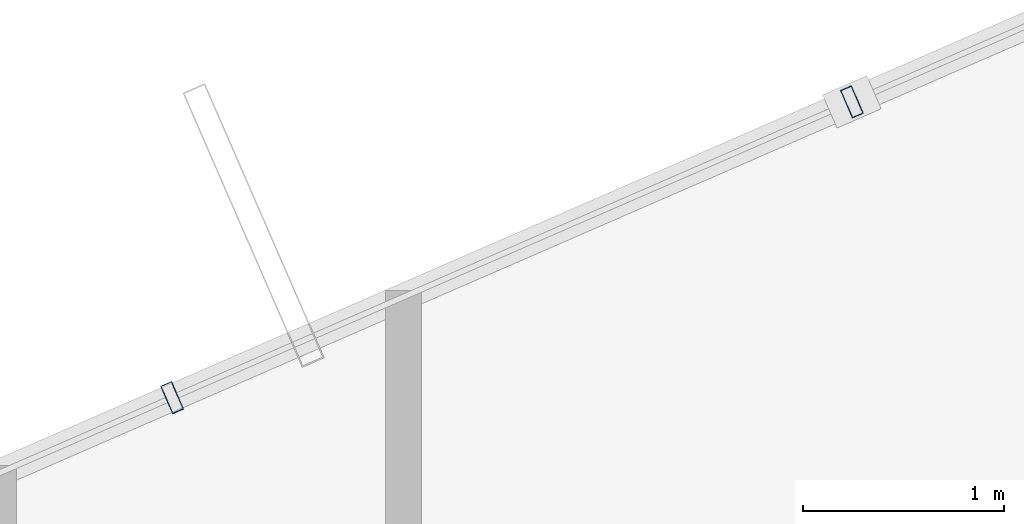
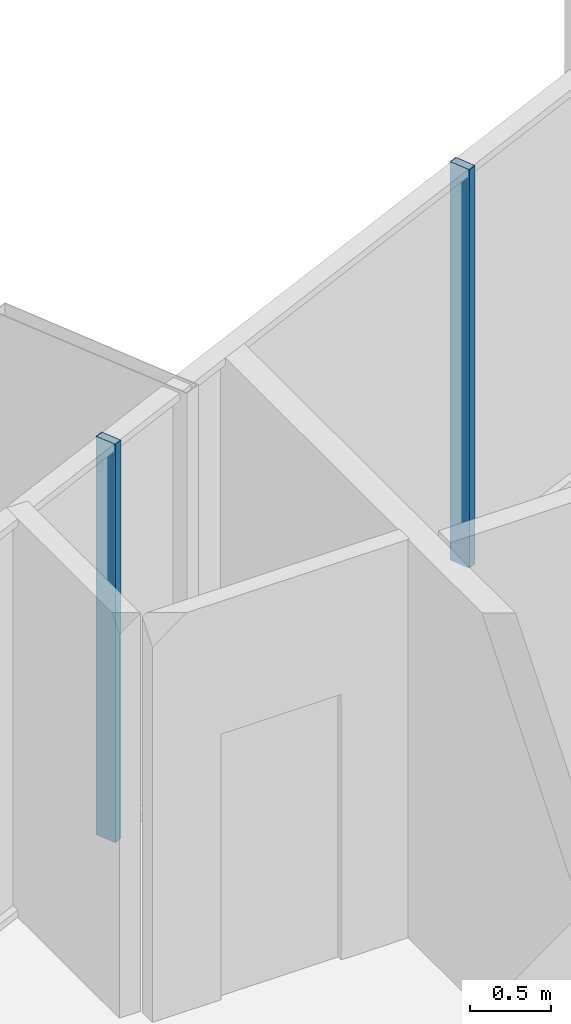
# One storey, part 22 of 30: 2 members, 1 element without a shape of its own.
"""IFC4 building model written with IfcOpenShell, lengths in metres."""

from ifc_helpers import new_model, si_unit, direction, frame, origin, origin_2d, place, context, subcontext, project, spatial, hollow_rectangle, extrude, source, transform, mapped, material, layer, layer_set, material_profile, profile_set, type_object, element, aggregate, save


model = new_model("IFC4")

# Units and contexts
model_context = context("Model", 3, precision=1e-05, world=origin(), true_north=direction((0.0, 1.0)))
body_context = subcontext(model_context, "Body", "Model", "MODEL_VIEW")
ifc_project = project(units=[si_unit("LENGTHUNIT", "METRE"), si_unit("AREAUNIT", "SQUARE_METRE"), si_unit("VOLUMEUNIT", "CUBIC_METRE"), si_unit("PLANEANGLEUNIT", "RADIAN"), si_unit("MASSUNIT", "GRAM", prefix="KILO")], contexts=[model_context])

# Site, building, storey
site_placement = place(None, origin())
site = spatial("IfcSite", under=ifc_project, at=site_placement, CompositionType="ELEMENT")
building_placement = place(site_placement, origin())
building = spatial("IfcBuilding", under=site, at=building_placement, Name="Veraguas Prism Commons", CompositionType="ELEMENT")
storey_placement = place(building_placement, frame((0.0, 0.0, 230.050048828125)))
storey = spatial("IfcBuildingStorey", under=building, at=storey_placement, Name="L65", CompositionType="ELEMENT", Elevation=230.050048828125)

# Curtain wall, members
ifc_material = material(Name="Anodised aluminium EN AW-6063 T6", Category="aluminium")
ifc_layer = layer(ifc_material, 0.14990234375, Name="Unitised Flush Curtain Wall Zone 4", Category="aluminium")
ifc_layer_set = layer_set([ifc_layer], Name="Anodised aluminium EN AW-6063 T6")
curtain_wall_type = type_object("IfcCurtainWallType", Name="Unitised Flush Curtain Wall Zone 4", PredefinedType="NOTDEFINED", material=ifc_layer_set)
curtain_wall_placement = place(storey_placement, origin())
curtain_wall = element("IfcCurtainWall", 1, at=curtain_wall_placement, inside=storey, type_object=curtain_wall_type, Name="Tower Facade Curtain Wall L65-F2", PredefinedType="NOTDEFINED")
ifc_material_profile = material_profile(ifc_material, hollow_rectangle(XDim=0.06005859375, YDim=0.14990234375, WallThickness=0.0029296875, at=origin_2d()), Name="AL60X150X3")
ifc_profile_set = profile_set([ifc_material_profile], Name="Anodised aluminium EN AW-6063 T6")
member_type = type_object("IfcMemberType", Name="Curtain Wall Mullion Upper AL 60x150x3", PredefinedType="MULLION", material=ifc_profile_set)
shared_shape = source(origin(), body_context, "Body", "SweptSolid", [
    extrude(hollow_rectangle(XDim=0.06005859375, YDim=0.14990234375, WallThickness=0.0029296875, at=origin_2d()), origin(), (0.0, 0.0, 1.0), 3.014892578125),
])
member_1_placement = place(storey_placement, frame((17.43359375, 39.08740234375, 0.0), z_axis=(0.0, 0.0, 1.0), x_axis=(-0.916918739301, -0.399073959961, 0.0)))
member_1 = element("IfcMember", 2, at=member_1_placement, type_object=member_type, Name="CW-Z4 Mullion 3", PredefinedType="MULLION", context=body_context, shape_type="MappedRepresentation", body=[
    mapped(shared_shape, transform((0.0, 0.0, 0.0), scale=1.0)),
])
member_2_placement = place(storey_placement, frame((14.048583984375, 37.6142578125, 0.0), z_axis=(0.0, 0.0, 1.0), x_axis=(-0.916918739301, -0.399073959961, 0.0)))
member_2 = element("IfcMember", 3, at=member_2_placement, type_object=member_type, Name="CW-Z4 Mullion 4", PredefinedType="MULLION", context=body_context, shape_type="MappedRepresentation", body=[
    mapped(shared_shape, transform((0.0, 0.0, 0.0), scale=1.0)),
])
aggregate(curtain_wall, [member_1, member_2])

save(model, "model.ifc")
